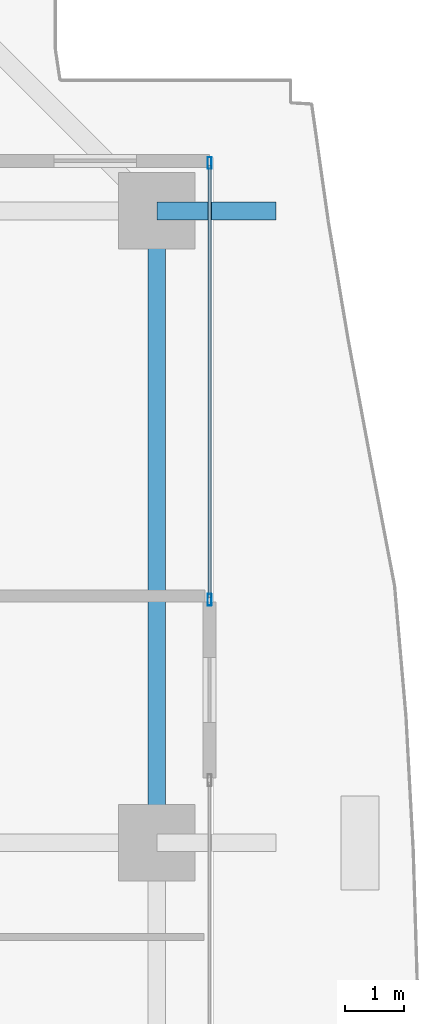
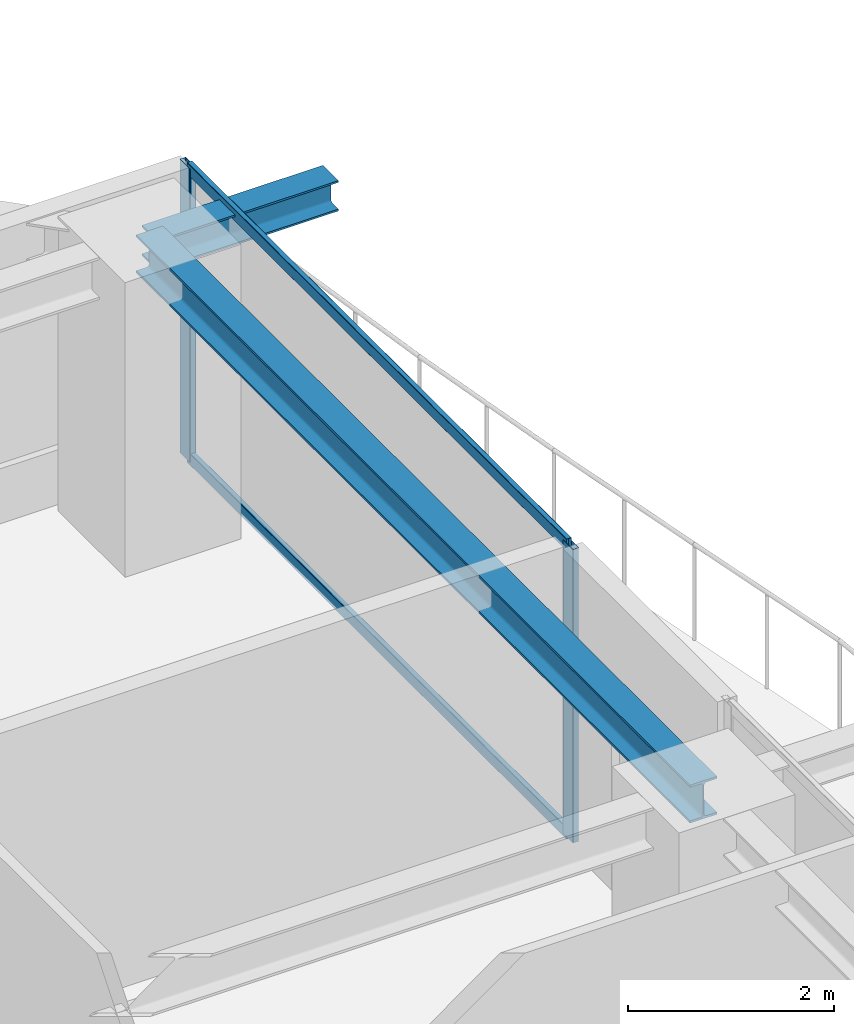
# One storey, part 22 of 34: 4 members, 2 beams, 1 element without a shape of its own.
"""IFC4 building model written with IfcOpenShell, lengths in metres."""

from ifc_helpers import new_model, si_unit, direction, frame, origin, origin_2d, place, context, subcontext, project, spatial, hollow_rectangle, i_section, extrude, source, transform, mapped, material, layer, layer_set, material_profile, profile_set, type_object, element, aggregate, save


model = new_model("IFC4")

# Units and contexts
model_context = context("Model", 3, precision=1e-05, world=origin(), true_north=direction((0.0, 1.0)))
body_context = subcontext(model_context, "Body", "Model", "MODEL_VIEW")
ifc_project = project(units=[si_unit("LENGTHUNIT", "METRE"), si_unit("AREAUNIT", "SQUARE_METRE"), si_unit("VOLUMEUNIT", "CUBIC_METRE"), si_unit("PLANEANGLEUNIT", "RADIAN"), si_unit("MASSUNIT", "GRAM", prefix="KILO")], contexts=[model_context])

# Site, building, storey
site_placement = place(None, origin())
site = spatial("IfcSite", under=ifc_project, at=site_placement, CompositionType="ELEMENT")
building_placement = place(site_placement, origin())
building = spatial("IfcBuilding", under=site, at=building_placement, Name="Serunith Strait Residences", CompositionType="ELEMENT")
storey_placement = place(building_placement, frame((0.0, 0.0, 180.14990234375)))
storey = spatial("IfcBuildingStorey", under=building, at=storey_placement, Name="L45", CompositionType="ELEMENT", Elevation=180.14990234375)

# Beams
ifc_material_1 = material(Name="Steel S355J2", Category="steel")
ifc_material_profile_1 = material_profile(ifc_material_1, i_section(OverallWidth=0.300048828125, OverallDepth=0.449951171875, WebThickness=0.013916015625, FlangeThickness=0.02587890625, FilletRadius=0.027099609375, at=origin_2d()), Name="HEB 450")
ifc_profile_set_1 = profile_set([ifc_material_profile_1], Name="Steel S355J2")
beam_type_1 = type_object("IfcBeamType", Name="BM-HEB450", PredefinedType="BEAM", material=ifc_profile_set_1)
shared_shape_1 = source(origin(), body_context, "Body", "SweptSolid", [
    extrude(i_section(OverallWidth=0.300048828125, OverallDepth=0.449951171875, WebThickness=0.013916015625, FlangeThickness=0.02587890625, FilletRadius=0.027099609375, at=origin_2d()), origin(), (0.0, 0.0, 1.0), 10.75),
])
beam_1_placement = place(storey_placement, frame((56.10009765625, 29.39990234375, 3.26220703125), z_axis=(0.0, 1.0, 0.0), x_axis=(-1.0, 0.0, 0.0)))
element("IfcBeam", 1, at=beam_1_placement, inside=storey, type_object=beam_type_1, Name="L45 Perimeter Ring Beam 07", PredefinedType="BEAM", context=body_context, shape_type="MappedRepresentation", body=[
    mapped(shared_shape_1, transform((0.0, 0.0, 0.0), scale=1.0)),
])
ifc_material_profile_2 = material_profile(ifc_material_1, i_section(OverallWidth=0.300048828125, OverallDepth=0.360107421875, WebThickness=0.012451171875, FlangeThickness=0.0224609375, FilletRadius=0.027099609375, at=origin_2d()), Name="HEB 360")
ifc_profile_set_2 = profile_set([ifc_material_profile_2], Name="Steel S355J2")
beam_type_2 = type_object("IfcBeamType", Name="BM-HEB360", PredefinedType="BEAM", material=ifc_profile_set_2)
shared_shape_2 = source(origin(), body_context, "Body", "SweptSolid", [
    extrude(i_section(OverallWidth=0.300048828125, OverallDepth=0.360107421875, WebThickness=0.012451171875, FlangeThickness=0.0224609375, FilletRadius=0.027099609375, at=origin_2d()), origin(), (0.0, 0.0, 1.0), 2.02978515625),
])
beam_2_placement = place(storey_placement, frame((56.10009765625, 40.14990234375, 3.277099609375), z_axis=(1.0, 0.0, 0.0), x_axis=(0.0, 1.0, 0.0)))
element("IfcBeam", 2, at=beam_2_placement, inside=storey, type_object=beam_type_2, Name="L46 Cantilevered Balcony Rib TC-E4", PredefinedType="BEAM", context=body_context, shape_type="MappedRepresentation", body=[
    mapped(shared_shape_2, transform((0.0, 0.0, 0.0), scale=1.0)),
])

# Curtain wall, members
ifc_material_2 = material(Name="Pale-Champagne Anodised Aluminium", Category="aluminium")
ifc_layer = layer(ifc_material_2, 0.199951171875, Name="Pale-Champagne Anodised Aluminium")
ifc_layer_set = layer_set([ifc_layer], Name="Pale-Champagne Anodised Aluminium")
curtain_wall_type = type_object("IfcCurtainWallType", Name="CW-SYS2", PredefinedType="NOTDEFINED", material=ifc_layer_set)
curtain_wall_placement = place(storey_placement, origin())
curtain_wall = element("IfcCurtainWall", 3, at=curtain_wall_placement, inside=storey, type_object=curtain_wall_type, Name="L45 E Unitised Fritted Curtain Wall", PredefinedType="NOTDEFINED")
ifc_material_profile_3 = material_profile(ifc_material_2, hollow_rectangle(XDim=0.070068359375, YDim=0.199951171875, WallThickness=0.00390625, InnerFilletRadius=0.006103515625, OuterFilletRadius=0.010009765625, at=origin_2d()), Name="ALU 200x70x4")
ifc_profile_set_3 = profile_set([ifc_material_profile_3], Name="Pale-Champagne Anodised Aluminium")
member_type_1 = type_object("IfcMemberType", Name="CW-SYS2-MULL", PredefinedType="MULLION", material=ifc_profile_set_3)
shared_shape_3 = source(origin(), body_context, "Body", "SweptSolid", [
    extrude(hollow_rectangle(XDim=0.070068359375, YDim=0.199951171875, WallThickness=0.00390625, InnerFilletRadius=0.006103515625, OuterFilletRadius=0.010009765625, at=origin_2d()), origin(), (0.0, 0.0, 1.0), 3.47509765625),
])
member_1_placement = place(storey_placement, frame((57.0, 33.534912109375, 0.0), z_axis=(0.0, 0.0, 1.0), x_axis=(-1.0, 0.0, 0.0)))
member_1 = element("IfcMember", 4, at=member_1_placement, type_object=member_type_1, Name="CW-2 mullion 1", PredefinedType="MULLION", context=body_context, shape_type="MappedRepresentation", body=[
    mapped(shared_shape_3, transform((0.0, 0.0, 0.0), scale=1.0)),
])
member_2_placement = place(storey_placement, frame((57.0, 40.965087890625, 0.0), z_axis=(0.0, 0.0, 1.0), x_axis=(-1.0, 0.0, 0.0)))
member_2 = element("IfcMember", 5, at=member_2_placement, type_object=member_type_1, Name="CW-2 mullion 2", PredefinedType="MULLION", context=body_context, shape_type="MappedRepresentation", body=[
    mapped(shared_shape_3, transform((0.0, 0.0, 0.0), scale=1.0)),
])
ifc_material_profile_4 = material_profile(ifc_material_2, hollow_rectangle(XDim=0.06005859375, YDim=0.139892578125, WallThickness=0.00341796875, InnerFilletRadius=0.00537109375, OuterFilletRadius=0.0087890625, at=origin_2d()), Name="ALU 140x60x3.5")
ifc_profile_set_4 = profile_set([ifc_material_profile_4], Name="Pale-Champagne Anodised Aluminium")
member_type_2 = type_object("IfcMemberType", Name="CW-SYS2-TRAN", PredefinedType="USERDEFINED", material=ifc_profile_set_4)
shared_shape_4 = source(origin(), body_context, "Body", "SweptSolid", [
    extrude(hollow_rectangle(XDim=0.06005859375, YDim=0.139892578125, WallThickness=0.00341796875, InnerFilletRadius=0.00537109375, OuterFilletRadius=0.0087890625, at=origin_2d()), origin(), (0.0, 0.0, 1.0), 7.35986328125),
])
member_3_placement = place(storey_placement, frame((57.0, 33.570068359375, 0.030029296875), z_axis=(0.0, 1.0, 0.0), x_axis=(-1.0, 0.0, 0.0)))
member_3 = element("IfcMember", 6, at=member_3_placement, type_object=member_type_2, Name="CW-2 transom 1.1", ObjectType="TRANSOM", PredefinedType="USERDEFINED", context=body_context, shape_type="MappedRepresentation", body=[
    mapped(shared_shape_4, transform((0.0, 0.0, 0.0), scale=1.0)),
])
member_4_placement = place(storey_placement, frame((57.0, 33.570068359375, 3.445068359375), z_axis=(0.0, 1.0, 0.0), x_axis=(-1.0, 0.0, 0.0)))
member_4 = element("IfcMember", 7, at=member_4_placement, type_object=member_type_2, Name="CW-2 transom 1.2", ObjectType="TRANSOM", PredefinedType="USERDEFINED", context=body_context, shape_type="MappedRepresentation", body=[
    mapped(shared_shape_4, transform((0.0, 0.0, 0.0), scale=1.0)),
])
aggregate(curtain_wall, [member_1, member_2, member_3, member_4])

save(model, "model.ifc")
